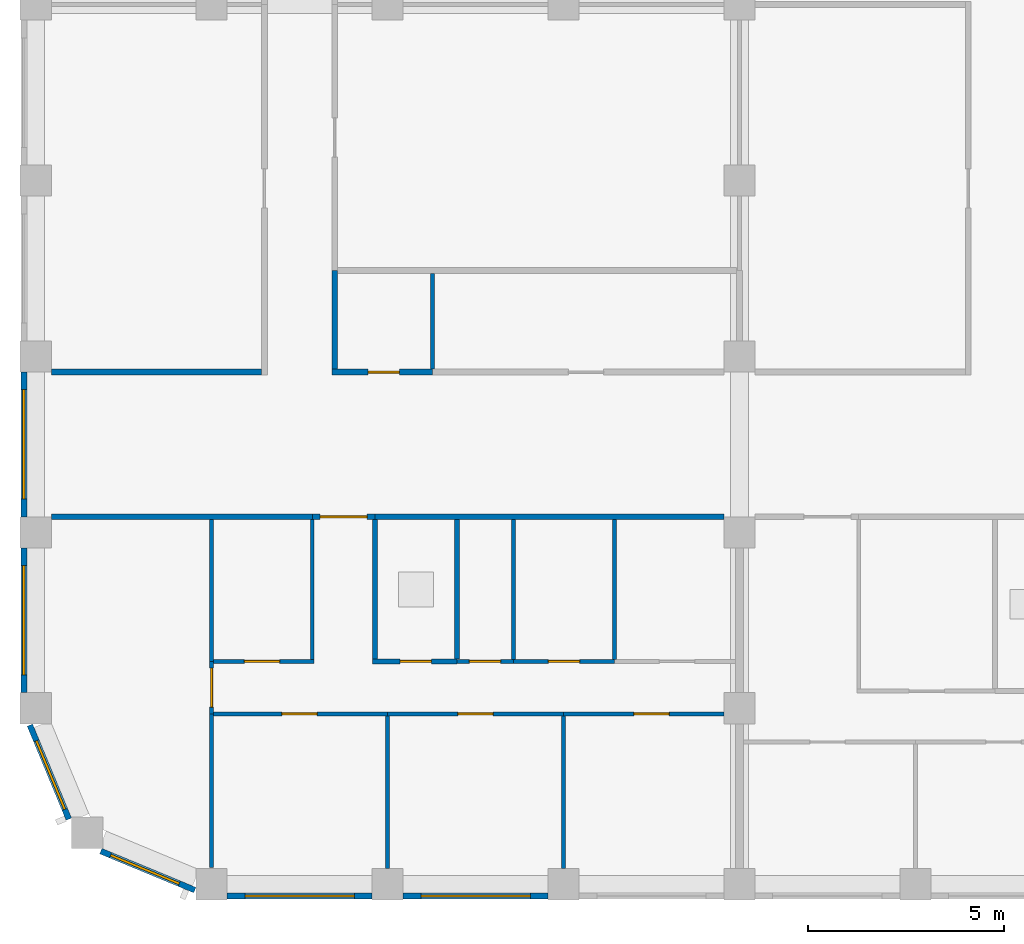
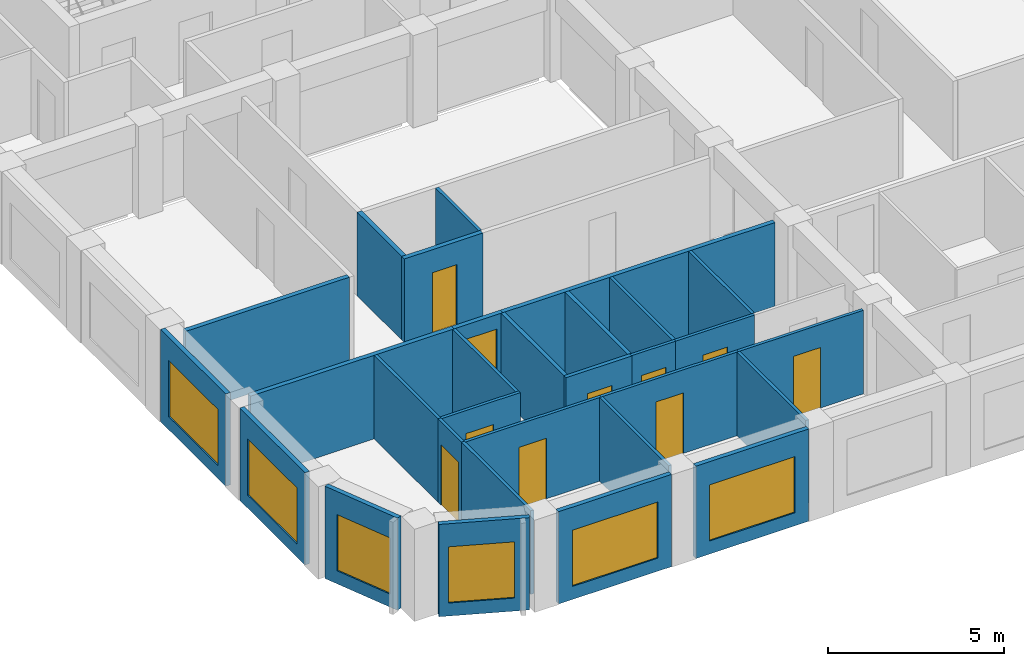
# One storey, part 2 of 10: 30 walls, 10 doors, 6 windows, 16 openings.
"""IFC4 building model written with IfcOpenShell, lengths in metres."""

from ifc_helpers import new_model, si_unit, direction, frame, frame_2d, origin, place, context, subcontext, project, spatial, rectangle, extrude, material, layer, layer_set, type_object, element, fill, save


model = new_model("IFC4")

# Units and contexts
model_context = context("Model", 3, precision=1e-05, world=origin(), true_north=direction((0.0, 1.0)))
body_context = subcontext(model_context, "Body", "Model", "MODEL_VIEW")
ifc_project = project(units=[si_unit("LENGTHUNIT", "METRE"), si_unit("AREAUNIT", "SQUARE_METRE"), si_unit("VOLUMEUNIT", "CUBIC_METRE"), si_unit("PLANEANGLEUNIT", "RADIAN"), si_unit("MASSUNIT", "GRAM", prefix="KILO")], contexts=[model_context])

# Site, building, storey
site_placement = place(None, origin())
site = spatial("IfcSite", under=ifc_project, at=site_placement, CompositionType="ELEMENT")
building_placement = place(site_placement, origin())
building = spatial("IfcBuilding", under=site, at=building_placement, Name="Girih Gate Residences", CompositionType="ELEMENT")
storey_placement = place(building_placement, frame((0.0, 0.0, 195.5)))
storey = spatial("IfcBuildingStorey", under=building, at=storey_placement, Name="L54", CompositionType="ELEMENT", Elevation=195.5)

# Wall
ifc_material_1 = material(Name="Gypsum board on steel studs", Category="steel")
ifc_layer_1 = layer(ifc_material_1, 0.14990234375)
ifc_layer_set_1 = layer_set([ifc_layer_1], Name="Compartment wall 150 mm")
wall_type_1 = type_object("IfcWallType", Name="Compartment wall 150 mm", PredefinedType="PARTITIONING", material=ifc_layer_set_1)
wall_1_placement = place(storey_placement, frame((8.675048828125, 9.39990234375, 0.0), z_axis=(0.0, 0.0, 1.0), x_axis=(1.0, 0.0, 0.0)))
element("IfcWall", 1, at=wall_1_placement, inside=storey, type_object=wall_type_1, Name="L54 partition", PredefinedType="PARTITIONING", context=body_context, shape_type="SweptSolid", body=[
    extrude(rectangle(XDim=8.925048828125, YDim=0.14990234375, at=frame_2d((4.46240234375, 0.0))), origin(), (0.0, 0.0, 1.0), 2.89990234375),
])

# Wall, opening, door
wall_2_placement = place(storey_placement, frame((8.675048828125, 9.39990234375, 0.0), z_axis=(0.0, 0.0, 1.0), x_axis=(-1.0, 0.0, 0.0)))
wall_2 = element("IfcWall", 2, at=wall_2_placement, inside=storey, type_object=wall_type_1, Name="L54 partition", PredefinedType="PARTITIONING", context=body_context, shape_type="SweptSolid", body=[
    extrude(rectangle(XDim=1.60009765625, YDim=0.14990234375, at=frame_2d((0.800048828125, 0.0))), origin(), (0.0, 0.0, 1.0), 2.89990234375),
])
opening_1_placement = place(wall_2_placement, frame((0.199951171875, 0.0, 0.0)))
opening_1 = element("IfcOpeningElement", 3, at=opening_1_placement, cuts=wall_2, Name="Opening A54-010", PredefinedType="OPENING", context=body_context, shape_type="SweptSolid", body=[
    extrude(rectangle(XDim=1.199951171875, YDim=2.39990234375, at=frame_2d((0.60009765625, 1.199951171875))), frame((0.0, 0.0849609375, 0.0), z_axis=(0.0, -1.0, 0.0), x_axis=(1.0, 0.0, 0.0)), (0.0, 0.0, 1.0), 0.169921875),
])
ifc_material_2 = material(Name="Timber, fire-rated core", Category="wood")
door_type_1 = type_object("IfcDoorType", Name="Villa entrance door 1200x2400 FD30S", OperationType="NOTDEFINED", PredefinedType="DOOR", material=ifc_material_2)
door_1_placement = place(opening_1_placement, origin())
door_1 = element("IfcDoor", 4, at=door_1_placement, inside=storey, type_object=door_type_1, Name="Door A54-010", OperationType="SINGLE_SWING_RIGHT", OverallHeight=2.39990234375, OverallWidth=1.199951171875, PredefinedType="DOOR", context=body_context, shape_type="SweptSolid", body=[
    extrude(rectangle(XDim=1.199951171875, YDim=2.39990234375, at=frame_2d((0.60009765625, 1.199951171875))), frame((0.0, 0.02490234375, 0.0), z_axis=(0.0, -1.0, 0.0), x_axis=(1.0, 0.0, 0.0)), (0.0, 0.0, 1.0), 0.050048828125),
])
fill(opening_1, door_1)

# Wall
wall_3_placement = place(storey_placement, frame((0.39990234375, 9.39990234375, 0.0), z_axis=(0.0, 0.0, 1.0), x_axis=(1.0, 0.0, 0.0)))
element("IfcWall", 5, at=wall_3_placement, inside=storey, type_object=wall_type_1, Name="L54 partition", PredefinedType="PARTITIONING", context=body_context, shape_type="SweptSolid", body=[
    extrude(rectangle(XDim=6.675048828125, YDim=0.14990234375, at=frame_2d((3.33740234375, 0.0))), origin(), (0.0, 0.0, 1.0), 2.89990234375),
])

# Wall, opening, door
wall_4_placement = place(storey_placement, frame((7.574951171875, 13.10009765625, 0.0), z_axis=(0.0, 0.0, 1.0), x_axis=(1.0, 0.0, 0.0)))
wall_4 = element("IfcWall", 6, at=wall_4_placement, inside=storey, type_object=wall_type_1, Name="L54 partition", PredefinedType="PARTITIONING", context=body_context, shape_type="SweptSolid", body=[
    extrude(rectangle(XDim=2.574951171875, YDim=0.14990234375, at=frame_2d((1.28759765625, 0.0))), origin(), (0.0, 0.0, 1.0), 2.89990234375),
])
opening_2_placement = place(wall_4_placement, frame((0.925048828125, 0.0, 0.0)))
opening_2 = element("IfcOpeningElement", 7, at=opening_2_placement, cuts=wall_4, Name="Opening A54-034", PredefinedType="OPENING", context=body_context, shape_type="SweptSolid", body=[
    extrude(rectangle(XDim=0.800048828125, YDim=2.10009765625, at=frame_2d((0.39990234375, 1.050048828125))), frame((0.0, 0.0849609375, 0.0), z_axis=(0.0, -1.0, 0.0), x_axis=(1.0, 0.0, 0.0)), (0.0, 0.0, 1.0), 0.169921875),
])
ifc_material_3 = material(Name="Timber", Category="wood")
door_type_2 = type_object("IfcDoorType", Name="Bathroom door 800x2100", OperationType="NOTDEFINED", PredefinedType="DOOR", material=ifc_material_3)
door_2_placement = place(opening_2_placement, origin())
door_2 = element("IfcDoor", 8, at=door_2_placement, inside=storey, type_object=door_type_2, Name="Door A54-034", OperationType="SINGLE_SWING_RIGHT", OverallHeight=2.10009765625, OverallWidth=0.800048828125, PredefinedType="DOOR", context=body_context, shape_type="SweptSolid", body=[
    extrude(rectangle(XDim=0.800048828125, YDim=2.10009765625, at=frame_2d((0.39990234375, 1.050048828125))), frame((0.0, 0.02490234375, 0.0), z_axis=(0.0, -1.0, 0.0), x_axis=(1.0, 0.0, 0.0)), (0.0, 0.0, 1.0), 0.050048828125),
])
fill(opening_2, door_2)

# Walls
wall_5_placement = place(storey_placement, frame((0.39990234375, 13.10009765625, 0.0), z_axis=(0.0, 0.0, 1.0), x_axis=(1.0, 0.0, 0.0)))
element("IfcWall", 9, at=wall_5_placement, inside=storey, type_object=wall_type_1, Name="L54 partition", PredefinedType="PARTITIONING", context=body_context, shape_type="SweptSolid", body=[
    extrude(rectangle(XDim=5.375, YDim=0.14990234375, at=frame_2d((2.6875, 0.0))), origin(), (0.0, 0.0, 1.0), 2.89990234375),
])
wall_6_placement = place(storey_placement, frame((7.64990234375, 13.175048828125, 0.0), z_axis=(0.0, 0.0, 1.0), x_axis=(0.0, 1.0, 0.0)))
element("IfcWall", 10, at=wall_6_placement, inside=storey, type_object=wall_type_1, Name="L54 partition", PredefinedType="PARTITIONING", context=body_context, shape_type="SweptSolid", body=[
    extrude(rectangle(XDim=2.52490234375, YDim=0.14990234375, at=frame_2d((1.262451171875, 0.0))), origin(), (0.0, 0.0, 1.0), 2.89990234375),
])
ifc_layer_2 = layer(ifc_material_1, 0.10009765625)
ifc_layer_set_2 = layer_set([ifc_layer_2], Name="Partition 100 mm")
wall_type_2 = type_object("IfcWallType", Name="Partition 100 mm", PredefinedType="PARTITIONING", material=ifc_layer_set_2)
wall_7_placement = place(storey_placement, frame((9.0, 0.39990234375, 0.0), z_axis=(0.0, 0.0, 1.0), x_axis=(0.0, 1.0, 0.0)))
element("IfcWall", 11, at=wall_7_placement, inside=storey, type_object=wall_type_2, Name="L54 partition", PredefinedType="PARTITIONING", context=body_context, shape_type="SweptSolid", body=[
    extrude(rectangle(XDim=3.91015625, YDim=0.10009765625, at=frame_2d((1.955078125, 0.0))), origin(), (0.0, 0.0, 1.0), 2.89990234375),
])

# Wall, opening, door
wall_8_placement = place(storey_placement, frame((9.0, 4.360107421875, 0.0), z_axis=(0.0, 0.0, 1.0), x_axis=(-1.0, 0.0, 0.0)))
wall_8 = element("IfcWall", 12, at=wall_8_placement, inside=storey, type_object=wall_type_2, Name="L54 partition", PredefinedType="PARTITIONING", context=body_context, shape_type="SweptSolid", body=[
    extrude(rectangle(XDim=4.449951171875, YDim=0.10009765625, at=frame_2d((2.22509765625, 0.0))), origin(), (0.0, 0.0, 1.0), 2.89990234375),
])
opening_3_placement = place(wall_8_placement, frame((1.800048828125, 0.0, 0.0)))
opening_3 = element("IfcOpeningElement", 13, at=opening_3_placement, cuts=wall_8, Name="Opening A54-002", PredefinedType="OPENING", context=body_context, shape_type="SweptSolid", body=[
    extrude(rectangle(XDim=0.89990234375, YDim=2.10009765625, at=frame_2d((0.449951171875, 1.050048828125))), frame((0.0, 0.06005859375, 0.0), z_axis=(0.0, -1.0, 0.0), x_axis=(1.0, 0.0, 0.0)), (0.0, 0.0, 1.0), 0.1201171875),
])
door_type_3 = type_object("IfcDoorType", Name="Bedroom door 900x2100", OperationType="NOTDEFINED", PredefinedType="DOOR", material=ifc_material_3)
door_3_placement = place(opening_3_placement, origin())
door_3 = element("IfcDoor", 14, at=door_3_placement, inside=storey, type_object=door_type_3, Name="Door A54-002", OperationType="SINGLE_SWING_RIGHT", OverallHeight=2.10009765625, OverallWidth=0.89990234375, PredefinedType="DOOR", context=body_context, shape_type="SweptSolid", body=[
    extrude(rectangle(XDim=0.89990234375, YDim=2.10009765625, at=frame_2d((0.449951171875, 1.050048828125))), frame((0.0, 0.02490234375, 0.0), z_axis=(0.0, -1.0, 0.0), x_axis=(1.0, 0.0, 0.0)), (0.0, 0.0, 1.0), 0.050048828125),
])
fill(opening_3, door_3)

# Walls
wall_9_placement = place(storey_placement, frame((4.5, 0.432861328125, 0.0), z_axis=(0.0, 0.0, 1.0), x_axis=(0.0, 1.0, 0.0)))
element("IfcWall", 15, at=wall_9_placement, inside=storey, type_object=wall_type_2, Name="L54 partition", PredefinedType="PARTITIONING", context=body_context, shape_type="SweptSolid", body=[
    extrude(rectangle(XDim=3.92724609375, YDim=0.10009765625, at=frame_2d((1.963623046875, 0.0))), origin(), (0.0, 0.0, 1.0), 2.89990234375),
])
wall_10_placement = place(storey_placement, frame((13.5, 0.39990234375, 0.0), z_axis=(0.0, 0.0, 1.0), x_axis=(0.0, 1.0, 0.0)))
element("IfcWall", 16, at=wall_10_placement, inside=storey, type_object=wall_type_2, Name="L54 partition", PredefinedType="PARTITIONING", context=body_context, shape_type="SweptSolid", body=[
    extrude(rectangle(XDim=3.91015625, YDim=0.10009765625, at=frame_2d((1.955078125, 0.0))), origin(), (0.0, 0.0, 1.0), 2.89990234375),
])

# Wall, opening, door
wall_11_placement = place(storey_placement, frame((13.5, 4.360107421875, 0.0), z_axis=(0.0, 0.0, 1.0), x_axis=(-1.0, 0.0, 0.0)))
wall_11 = element("IfcWall", 17, at=wall_11_placement, inside=storey, type_object=wall_type_2, Name="L54 partition", PredefinedType="PARTITIONING", context=body_context, shape_type="SweptSolid", body=[
    extrude(rectangle(XDim=4.5, YDim=0.10009765625, at=frame_2d((2.25, 0.0))), origin(), (0.0, 0.0, 1.0), 2.89990234375),
])
opening_4_placement = place(wall_11_placement, frame((1.800048828125, 0.0, 0.0)))
opening_4 = element("IfcOpeningElement", 18, at=opening_4_placement, cuts=wall_11, Name="Opening A54-003", PredefinedType="OPENING", context=body_context, shape_type="SweptSolid", body=[
    extrude(rectangle(XDim=0.89990234375, YDim=2.10009765625, at=frame_2d((0.449951171875, 1.050048828125))), frame((0.0, 0.06005859375, 0.0), z_axis=(0.0, -1.0, 0.0), x_axis=(1.0, 0.0, 0.0)), (0.0, 0.0, 1.0), 0.1201171875),
])
door_4_placement = place(opening_4_placement, origin())
door_4 = element("IfcDoor", 19, at=door_4_placement, inside=storey, type_object=door_type_3, Name="Door A54-003", OperationType="SINGLE_SWING_LEFT", OverallHeight=2.10009765625, OverallWidth=0.89990234375, PredefinedType="DOOR", context=body_context, shape_type="SweptSolid", body=[
    extrude(rectangle(XDim=0.89990234375, YDim=2.10009765625, at=frame_2d((0.449951171875, 1.050048828125))), frame((0.0, 0.02490234375, 0.0), z_axis=(0.0, -1.0, 0.0), x_axis=(1.0, 0.0, 0.0)), (0.0, 0.0, 1.0), 0.050048828125),
])
fill(opening_4, door_4)

wall_12_placement = place(storey_placement, frame((17.60009765625, 4.360107421875, 0.0), z_axis=(0.0, 0.0, 1.0), x_axis=(-1.0, 0.0, 0.0)))
wall_12 = element("IfcWall", 20, at=wall_12_placement, inside=storey, type_object=wall_type_2, Name="L54 partition", PredefinedType="PARTITIONING", context=body_context, shape_type="SweptSolid", body=[
    extrude(rectangle(XDim=4.10009765625, YDim=0.10009765625, at=frame_2d((2.050048828125, 0.0))), origin(), (0.0, 0.0, 1.0), 2.89990234375),
])
opening_5_placement = place(wall_12_placement, frame((1.39990234375, 0.0, 0.0)))
opening_5 = element("IfcOpeningElement", 21, at=opening_5_placement, cuts=wall_12, Name="Opening A54-004", PredefinedType="OPENING", context=body_context, shape_type="SweptSolid", body=[
    extrude(rectangle(XDim=0.89990234375, YDim=2.10009765625, at=frame_2d((0.449951171875, 1.050048828125))), frame((0.0, 0.06005859375, 0.0), z_axis=(0.0, -1.0, 0.0), x_axis=(1.0, 0.0, 0.0)), (0.0, 0.0, 1.0), 0.1201171875),
])
door_5_placement = place(opening_5_placement, origin())
door_5 = element("IfcDoor", 22, at=door_5_placement, inside=storey, type_object=door_type_3, Name="Door A54-004", OperationType="SINGLE_SWING_LEFT", OverallHeight=2.10009765625, OverallWidth=0.89990234375, PredefinedType="DOOR", context=body_context, shape_type="SweptSolid", body=[
    extrude(rectangle(XDim=0.89990234375, YDim=2.10009765625, at=frame_2d((0.449951171875, 1.050048828125))), frame((0.0, 0.02490234375, 0.0), z_axis=(0.0, -1.0, 0.0), x_axis=(1.0, 0.0, 0.0)), (0.0, 0.0, 1.0), 0.050048828125),
])
fill(opening_5, door_5)

wall_13_placement = place(storey_placement, frame((12.21630859375, 5.699951171875, 0.0), z_axis=(0.0, 0.0, 1.0), x_axis=(1.0, 0.0, 0.0)))
wall_13 = element("IfcWall", 23, at=wall_13_placement, inside=storey, type_object=wall_type_2, Name="L54 partition", PredefinedType="PARTITIONING", context=body_context, shape_type="SweptSolid", body=[
    extrude(rectangle(XDim=2.59130859375, YDim=0.10009765625, at=frame_2d((1.295654296875, 0.0))), origin(), (0.0, 0.0, 1.0), 2.89990234375),
])
opening_6_placement = place(wall_13_placement, frame((0.8955078125, 0.0, 0.0)))
opening_6 = element("IfcOpeningElement", 24, at=opening_6_placement, cuts=wall_13, Name="Opening A54-005", PredefinedType="OPENING", context=body_context, shape_type="SweptSolid", body=[
    extrude(rectangle(XDim=0.800048828125, YDim=2.10009765625, at=frame_2d((0.39990234375, 1.050048828125))), frame((0.0, 0.06005859375, 0.0), z_axis=(0.0, -1.0, 0.0), x_axis=(1.0, 0.0, 0.0)), (0.0, 0.0, 1.0), 0.1201171875),
])
door_type_4 = type_object("IfcDoorType", Name="Store door 800x2100", OperationType="NOTDEFINED", PredefinedType="DOOR", material=ifc_material_3)
door_6_placement = place(opening_6_placement, origin())
door_6 = element("IfcDoor", 25, at=door_6_placement, inside=storey, type_object=door_type_4, Name="Door A54-005", OperationType="SINGLE_SWING_LEFT", OverallHeight=2.10009765625, OverallWidth=0.800048828125, PredefinedType="DOOR", context=body_context, shape_type="SweptSolid", body=[
    extrude(rectangle(XDim=0.800048828125, YDim=2.10009765625, at=frame_2d((0.39990234375, 1.050048828125))), frame((0.0, 0.02490234375, 0.0), z_axis=(0.0, -1.0, 0.0), x_axis=(1.0, 0.0, 0.0)), (0.0, 0.0, 1.0), 0.050048828125),
])
fill(opening_6, door_6)

# Walls
for number, where, z_axis, x_axis, name in (
    (26, (12.216064453125, 5.75, 0.0), (0.0, 0.0, 1.0), (0.0, 1.0, 0.0), "L54 partition"),
    (27, (14.80810546875, 5.75, 0.0), (0.0, 0.0, 1.0), (0.0, 1.0, 0.0), "L54 partition"),
):
    element("IfcWall", number, at=place(storey_placement, frame(where, z_axis=z_axis, x_axis=x_axis)), inside=storey, type_object=wall_type_2, Name=name, PredefinedType="PARTITIONING", context=body_context, shape_type="SweptSolid", body=[
        extrude(rectangle(XDim=3.574951171875, YDim=0.10009765625, at=frame_2d((1.78759765625, 0.0))), origin(), (0.0, 0.0, 1.0), 2.89990234375),
    ])

# Wall, opening, door
wall_14_placement = place(storey_placement, frame((4.550048828125, 5.699951171875, 0.0), z_axis=(0.0, 0.0, 1.0), x_axis=(1.0, 0.0, 0.0)))
wall_14 = element("IfcWall", 28, at=wall_14_placement, inside=storey, type_object=wall_type_2, Name="L54 partition", PredefinedType="PARTITIONING", context=body_context, shape_type="SweptSolid", body=[
    extrude(rectangle(XDim=2.574951171875, YDim=0.10009765625, at=frame_2d((1.28759765625, 0.0))), origin(), (0.0, 0.0, 1.0), 2.89990234375),
])
opening_7_placement = place(wall_14_placement, frame((0.78759765625, 0.0, 0.0)))
opening_7 = element("IfcOpeningElement", 29, at=opening_7_placement, cuts=wall_14, Name="Opening A54-006", PredefinedType="OPENING", context=body_context, shape_type="SweptSolid", body=[
    extrude(rectangle(XDim=0.89990234375, YDim=2.10009765625, at=frame_2d((0.449951171875, 1.050048828125))), frame((0.0, 0.06005859375, 0.0), z_axis=(0.0, -1.0, 0.0), x_axis=(1.0, 0.0, 0.0)), (0.0, 0.0, 1.0), 0.1201171875),
])
door_type_5 = type_object("IfcDoorType", Name="Kitchen door 900x2100", OperationType="NOTDEFINED", PredefinedType="DOOR", material=ifc_material_3)
door_7_placement = place(opening_7_placement, origin())
door_7 = element("IfcDoor", 30, at=door_7_placement, inside=storey, type_object=door_type_5, Name="Door A54-006", OperationType="SINGLE_SWING_LEFT", OverallHeight=2.10009765625, OverallWidth=0.89990234375, PredefinedType="DOOR", context=body_context, shape_type="SweptSolid", body=[
    extrude(rectangle(XDim=0.89990234375, YDim=2.10009765625, at=frame_2d((0.449951171875, 1.050048828125))), frame((0.0, 0.02490234375, 0.0), z_axis=(0.0, -1.0, 0.0), x_axis=(1.0, 0.0, 0.0)), (0.0, 0.0, 1.0), 0.050048828125),
])
fill(opening_7, door_7)

# Wall
wall_15_placement = place(storey_placement, frame((7.074951171875, 5.75, 0.0), z_axis=(0.0, 0.0, 1.0), x_axis=(0.0, 1.0, 0.0)))
element("IfcWall", 31, at=wall_15_placement, inside=storey, type_object=wall_type_2, Name="L54 partition", PredefinedType="PARTITIONING", context=body_context, shape_type="SweptSolid", body=[
    extrude(rectangle(XDim=3.574951171875, YDim=0.10009765625, at=frame_2d((1.78759765625, 0.0))), origin(), (0.0, 0.0, 1.0), 2.89990234375),
])

# Wall, opening, door
wall_16_placement = place(storey_placement, frame((4.5, 4.360107421875, 0.0), z_axis=(0.0, 0.0, 1.0), x_axis=(0.0, 1.0, 0.0)))
wall_16 = element("IfcWall", 32, at=wall_16_placement, inside=storey, type_object=wall_type_2, Name="L54 partition", PredefinedType="PARTITIONING", context=body_context, shape_type="SweptSolid", body=[
    extrude(rectangle(XDim=1.33984375, YDim=0.10009765625, at=frame_2d((0.669921875, 0.0))), origin(), (0.0, 0.0, 1.0), 2.89990234375),
])
opening_8_placement = place(wall_16_placement, frame((0.169921875, 0.0, 0.0)))
opening_8 = element("IfcOpeningElement", 33, at=opening_8_placement, cuts=wall_16, Name="Opening A54-007", PredefinedType="OPENING", context=body_context, shape_type="SweptSolid", body=[
    extrude(rectangle(XDim=1.0, YDim=2.10009765625, at=frame_2d((0.5, 1.050048828125))), frame((0.0, 0.06005859375, 0.0), z_axis=(0.0, -1.0, 0.0), x_axis=(1.0, 0.0, 0.0)), (0.0, 0.0, 1.0), 0.1201171875),
])
door_type_6 = type_object("IfcDoorType", Name="Living room door 1000x2100", OperationType="NOTDEFINED", PredefinedType="DOOR", material=ifc_material_3)
door_8_placement = place(opening_8_placement, origin())
door_8 = element("IfcDoor", 34, at=door_8_placement, inside=storey, type_object=door_type_6, Name="Door A54-007", OperationType="SINGLE_SWING_RIGHT", OverallHeight=2.10009765625, OverallWidth=1.0, PredefinedType="DOOR", context=body_context, shape_type="SweptSolid", body=[
    extrude(rectangle(XDim=1.0, YDim=2.10009765625, at=frame_2d((0.5, 1.050048828125))), frame((0.0, 0.02490234375, 0.0), z_axis=(0.0, -1.0, 0.0), x_axis=(1.0, 0.0, 0.0)), (0.0, 0.0, 1.0), 0.050048828125),
])
fill(opening_8, door_8)

wall_17_placement = place(storey_placement, frame((10.771728515625, 5.699951171875, 0.0), z_axis=(0.0, 0.0, 1.0), x_axis=(1.0, 0.0, 0.0)))
wall_17 = element("IfcWall", 35, at=wall_17_placement, inside=storey, type_object=wall_type_2, Name="L54 partition", PredefinedType="PARTITIONING", context=body_context, shape_type="SweptSolid", body=[
    extrude(rectangle(XDim=1.444580078125, YDim=0.10009765625, at=frame_2d((0.72216796875, 0.0))), origin(), (0.0, 0.0, 1.0), 2.89990234375),
])
opening_9_placement = place(wall_17_placement, frame((0.322265625, 0.0, 0.0)))
opening_9 = element("IfcOpeningElement", 36, at=opening_9_placement, cuts=wall_17, Name="Opening A54-008", PredefinedType="OPENING", context=body_context, shape_type="SweptSolid", body=[
    extrude(rectangle(XDim=0.800048828125, YDim=2.10009765625, at=frame_2d((0.39990234375, 1.050048828125))), frame((0.0, 0.06005859375, 0.0), z_axis=(0.0, -1.0, 0.0), x_axis=(1.0, 0.0, 0.0)), (0.0, 0.0, 1.0), 0.1201171875),
])
door_9_placement = place(opening_9_placement, origin())
door_9 = element("IfcDoor", 37, at=door_9_placement, inside=storey, type_object=door_type_4, Name="Door A54-008", OperationType="SINGLE_SWING_RIGHT", OverallHeight=2.10009765625, OverallWidth=0.800048828125, PredefinedType="DOOR", context=body_context, shape_type="SweptSolid", body=[
    extrude(rectangle(XDim=0.800048828125, YDim=2.10009765625, at=frame_2d((0.39990234375, 1.050048828125))), frame((0.0, 0.02490234375, 0.0), z_axis=(0.0, -1.0, 0.0), x_axis=(1.0, 0.0, 0.0)), (0.0, 0.0, 1.0), 0.050048828125),
])
fill(opening_9, door_9)

# Walls
wall_18_placement = place(storey_placement, frame((4.5, 5.699951171875, 0.0), z_axis=(0.0, 0.0, 1.0), x_axis=(0.0, 1.0, 0.0)))
element("IfcWall", 38, at=wall_18_placement, inside=storey, type_object=wall_type_2, Name="L54 partition", PredefinedType="PARTITIONING", context=body_context, shape_type="SweptSolid", body=[
    extrude(rectangle(XDim=3.625, YDim=0.10009765625, at=frame_2d((1.8125, 0.0))), origin(), (0.0, 0.0, 1.0), 2.89990234375),
])
wall_19_placement = place(storey_placement, frame((10.14990234375, 13.175048828125, 0.0), z_axis=(0.0, 0.0, 1.0), x_axis=(0.0, 1.0, 0.0)))
element("IfcWall", 39, at=wall_19_placement, inside=storey, type_object=wall_type_2, Name="L54 partition", PredefinedType="PARTITIONING", context=body_context, shape_type="SweptSolid", body=[
    extrude(rectangle(XDim=2.449951171875, YDim=0.10009765625, at=frame_2d((1.22509765625, 0.0))), origin(), (0.0, 0.0, 1.0), 2.89990234375),
])

# Wall, opening, window
ifc_material_4 = material(Name="Precast concrete C50/60", Category="concrete")
ifc_layer_3 = layer(ifc_material_4, 0.050048828125, Name="Outer leaf")
ifc_material_5 = material(Name="Rigid PIR insulation")
ifc_layer_4 = layer(ifc_material_5, 0.06005859375, Name="Insulation")
ifc_material_6 = material(Name="Precast concrete C40/50", Category="concrete")
ifc_layer_5 = layer(ifc_material_6, 0.0400390625, Name="Inner leaf")
ifc_layer_set_3 = layer_set([ifc_layer_3, ifc_layer_4, ifc_layer_5], Name="Precast concrete C50/60 external wall 150")
wall_type_3 = type_object("IfcWallType", Name="Precast concrete C50/60 external wall 150", PredefinedType="SOLIDWALL", material=ifc_layer_set_3)
wall_20_placement = place(storey_placement, frame((-0.300048828125, 9.39990234375, 0.0), z_axis=(0.0, 0.0, 1.0), x_axis=(0.0, 1.0, 0.0)))
wall_20 = element("IfcWall", 40, at=wall_20_placement, inside=storey, type_object=wall_type_3, Name="External wall W0000_0450.7", PredefinedType="SOLIDWALL", context=body_context, shape_type="SweptSolid", body=[
    extrude(rectangle(XDim=3.7001953125, YDim=0.14990234375, at=frame_2d((1.85009765625, 0.0))), origin(), (0.0, 0.0, 1.0), 3.199951171875),
])
opening_10_placement = place(wall_20_placement, frame((0.449951171875, 0.0, 0.449951171875)))
opening_10 = element("IfcOpeningElement", 41, at=opening_10_placement, cuts=wall_20, Name="Opening W-1B", PredefinedType="OPENING", context=body_context, shape_type="SweptSolid", body=[
    extrude(rectangle(XDim=2.800048828125, YDim=1.949951171875, at=frame_2d((1.39990234375, 0.97509765625))), frame((0.0, 0.0849609375, 0.0), z_axis=(0.0, -1.0, 0.0), x_axis=(1.0, 0.0, 0.0)), (0.0, 0.0, 1.0), 0.169921875),
])
ifc_material_7 = material(Name="Double glazing in aluminium frame", Category="aluminium")
window_type_1 = type_object("IfcWindowType", Name="Window W-1B 2800x1950", PartitioningType="SINGLE_PANEL", PredefinedType="WINDOW", material=ifc_material_7)
window_1_placement = place(opening_10_placement, origin())
window_1 = element("IfcWindow", 42, at=window_1_placement, inside=storey, type_object=window_type_1, Name="Window W-1B W0000_0450.7", OverallHeight=1.949951171875, OverallWidth=2.800048828125, PartitioningType="SINGLE_PANEL", PredefinedType="WINDOW", context=body_context, shape_type="SweptSolid", body=[
    extrude(rectangle(XDim=2.800048828125, YDim=1.949951171875, at=frame_2d((1.39990234375, 0.97509765625))), frame((0.0, 0.030029296875, 0.0), z_axis=(0.0, -1.0, 0.0), x_axis=(1.0, 0.0, 0.0)), (0.0, 0.0, 1.0), 0.06005859375),
])
fill(opening_10, window_1)

wall_21_placement = place(storey_placement, frame((-0.300048828125, 4.89990234375, 0.0), z_axis=(0.0, 0.0, 1.0), x_axis=(0.0, 1.0, 0.0)))
wall_21 = element("IfcWall", 43, at=wall_21_placement, inside=storey, type_object=wall_type_3, Name="External wall W0000_0450.8", PredefinedType="SOLIDWALL", context=body_context, shape_type="SweptSolid", body=[
    extrude(rectangle(XDim=3.7001953125, YDim=0.14990234375, at=frame_2d((1.85009765625, 0.0))), origin(), (0.0, 0.0, 1.0), 3.199951171875),
])
opening_11_placement = place(wall_21_placement, frame((0.449951171875, 0.0, 0.449951171875)))
opening_11 = element("IfcOpeningElement", 44, at=opening_11_placement, cuts=wall_21, Name="Opening W-1B", PredefinedType="OPENING", context=body_context, shape_type="SweptSolid", body=[
    extrude(rectangle(XDim=2.800048828125, YDim=1.949951171875, at=frame_2d((1.39990234375, 0.97509765625))), frame((0.0, 0.0849609375, 0.0), z_axis=(0.0, -1.0, 0.0), x_axis=(1.0, 0.0, 0.0)), (0.0, 0.0, 1.0), 0.169921875),
])
window_2_placement = place(opening_11_placement, origin())
window_2 = element("IfcWindow", 45, at=window_2_placement, inside=storey, type_object=window_type_1, Name="Window W-1B W0000_0450.8", OverallHeight=1.949951171875, OverallWidth=2.800048828125, PartitioningType="SINGLE_PANEL", PredefinedType="WINDOW", context=body_context, shape_type="SweptSolid", body=[
    extrude(rectangle(XDim=2.800048828125, YDim=1.949951171875, at=frame_2d((1.39990234375, 0.97509765625))), frame((0.0, 0.030029296875, 0.0), z_axis=(0.0, -1.0, 0.0), x_axis=(1.0, 0.0, 0.0)), (0.0, 0.0, 1.0), 0.06005859375),
])
fill(opening_11, window_2)

wall_22_placement = place(storey_placement, frame((0.8486328125, 1.6669921875, 0.0), z_axis=(0.0, 0.0, 1.0), x_axis=(-0.382669406082, 0.923885342263, 0.0)))
wall_22 = element("IfcWall", 46, at=wall_22_placement, inside=storey, type_object=wall_type_3, Name="External wall SW0000_0045.0", PredefinedType="SOLIDWALL", context=body_context, shape_type="SweptSolid", body=[
    extrude(rectangle(XDim=2.602294921875, YDim=0.14990234375, at=frame_2d((1.30126953125, 0.0))), origin(), (0.0, 0.0, 1.0), 3.199951171875),
])
opening_12_placement = place(wall_22_placement, frame((0.27001953125, 0.0, 0.449951171875)))
opening_12 = element("IfcOpeningElement", 47, at=opening_12_placement, cuts=wall_22, Name="Opening W-2G", PredefinedType="OPENING", context=body_context, shape_type="SweptSolid", body=[
    extrude(rectangle(XDim=1.89990234375, YDim=1.949951171875, at=frame_2d((0.949951171875, 0.97509765625))), frame((0.0, 0.0849609375, 0.0), z_axis=(0.0, -1.0, 0.0), x_axis=(1.0, 0.0, 0.0)), (0.0, 0.0, 1.0), 0.169921875),
])
window_type_2 = type_object("IfcWindowType", Name="Window W-2G 1900x1950", PartitioningType="SINGLE_PANEL", PredefinedType="WINDOW", material=ifc_material_7)
window_3_placement = place(opening_12_placement, origin())
window_3 = element("IfcWindow", 48, at=window_3_placement, inside=storey, type_object=window_type_2, Name="Window W-2G SW0000_0045.0", OverallHeight=1.949951171875, OverallWidth=1.89990234375, PartitioningType="SINGLE_PANEL", PredefinedType="WINDOW", context=body_context, shape_type="SweptSolid", body=[
    extrude(rectangle(XDim=1.89990234375, YDim=1.949951171875, at=frame_2d((0.949951171875, 0.97509765625))), frame((0.0, 0.030029296875, 0.0), z_axis=(0.0, -1.0, 0.0), x_axis=(1.0, 0.0, 0.0)), (0.0, 0.0, 1.0), 0.06005859375),
])
fill(opening_12, window_3)

wall_23_placement = place(storey_placement, frame((4.0712890625, -0.147216796875, 0.0), z_axis=(0.0, 0.0, 1.0), x_axis=(-0.923885342263, 0.382669406082, 0.0)))
wall_23 = element("IfcWall", 49, at=wall_23_placement, inside=storey, type_object=wall_type_3, Name="External wall SW0013_0013.0", PredefinedType="SOLIDWALL", context=body_context, shape_type="SweptSolid", body=[
    extrude(rectangle(XDim=2.602294921875, YDim=0.14990234375, at=frame_2d((1.30126953125, 0.0))), origin(), (0.0, 0.0, 1.0), 3.199951171875),
])
opening_13_placement = place(wall_23_placement, frame((0.432373046875, 0.0, 0.449951171875)))
opening_13 = element("IfcOpeningElement", 50, at=opening_13_placement, cuts=wall_23, Name="Opening W-2G", PredefinedType="OPENING", context=body_context, shape_type="SweptSolid", body=[
    extrude(rectangle(XDim=1.89990234375, YDim=1.949951171875, at=frame_2d((0.949951171875, 0.97509765625))), frame((0.0, 0.0849609375, 0.0), z_axis=(0.0, -1.0, 0.0), x_axis=(1.0, 0.0, 0.0)), (0.0, 0.0, 1.0), 0.169921875),
])
window_4_placement = place(opening_13_placement, origin())
window_4 = element("IfcWindow", 51, at=window_4_placement, inside=storey, type_object=window_type_2, Name="Window W-2G SW0013_0013.0", OverallHeight=1.949951171875, OverallWidth=1.89990234375, PartitioningType="SINGLE_PANEL", PredefinedType="WINDOW", context=body_context, shape_type="SweptSolid", body=[
    extrude(rectangle(XDim=1.89990234375, YDim=1.949951171875, at=frame_2d((0.949951171875, 0.97509765625))), frame((0.0, 0.030029296875, 0.0), z_axis=(0.0, -1.0, 0.0), x_axis=(1.0, 0.0, 0.0)), (0.0, 0.0, 1.0), 0.06005859375),
])
fill(opening_13, window_4)

wall_24_placement = place(storey_placement, frame((8.60009765625, -0.300048828125, 0.0), z_axis=(0.0, 0.0, 1.0), x_axis=(-1.0, 0.0, 0.0)))
wall_24 = element("IfcWall", 52, at=wall_24_placement, inside=storey, type_object=wall_type_3, Name="External wall S0045_0000.0", PredefinedType="SOLIDWALL", context=body_context, shape_type="SweptSolid", body=[
    extrude(rectangle(XDim=3.7001953125, YDim=0.14990234375, at=frame_2d((1.85009765625, 0.0))), origin(), (0.0, 0.0, 1.0), 3.199951171875),
])
opening_14_placement = place(wall_24_placement, frame((0.449951171875, 0.0, 0.449951171875)))
opening_14 = element("IfcOpeningElement", 53, at=opening_14_placement, cuts=wall_24, Name="Opening W-1B", PredefinedType="OPENING", context=body_context, shape_type="SweptSolid", body=[
    extrude(rectangle(XDim=2.800048828125, YDim=1.949951171875, at=frame_2d((1.39990234375, 0.97509765625))), frame((0.0, 0.0849609375, 0.0), z_axis=(0.0, -1.0, 0.0), x_axis=(1.0, 0.0, 0.0)), (0.0, 0.0, 1.0), 0.169921875),
])
window_5_placement = place(opening_14_placement, origin())
window_5 = element("IfcWindow", 54, at=window_5_placement, inside=storey, type_object=window_type_1, Name="Window W-1B S0045_0000.0", OverallHeight=1.949951171875, OverallWidth=2.800048828125, PartitioningType="SINGLE_PANEL", PredefinedType="WINDOW", context=body_context, shape_type="SweptSolid", body=[
    extrude(rectangle(XDim=2.800048828125, YDim=1.949951171875, at=frame_2d((1.39990234375, 0.97509765625))), frame((0.0, 0.030029296875, 0.0), z_axis=(0.0, -1.0, 0.0), x_axis=(1.0, 0.0, 0.0)), (0.0, 0.0, 1.0), 0.06005859375),
])
fill(opening_14, window_5)

wall_25_placement = place(storey_placement, frame((13.10009765625, -0.300048828125, 0.0), z_axis=(0.0, 0.0, 1.0), x_axis=(-1.0, 0.0, 0.0)))
wall_25 = element("IfcWall", 55, at=wall_25_placement, inside=storey, type_object=wall_type_3, Name="External wall S0045_0000.1", PredefinedType="SOLIDWALL", context=body_context, shape_type="SweptSolid", body=[
    extrude(rectangle(XDim=3.7001953125, YDim=0.14990234375, at=frame_2d((1.85009765625, 0.0))), origin(), (0.0, 0.0, 1.0), 3.199951171875),
])
opening_15_placement = place(wall_25_placement, frame((0.449951171875, 0.0, 0.449951171875)))
opening_15 = element("IfcOpeningElement", 56, at=opening_15_placement, cuts=wall_25, Name="Opening W-1B", PredefinedType="OPENING", context=body_context, shape_type="SweptSolid", body=[
    extrude(rectangle(XDim=2.800048828125, YDim=1.949951171875, at=frame_2d((1.39990234375, 0.97509765625))), frame((0.0, 0.0849609375, 0.0), z_axis=(0.0, -1.0, 0.0), x_axis=(1.0, 0.0, 0.0)), (0.0, 0.0, 1.0), 0.169921875),
])
window_6_placement = place(opening_15_placement, origin())
window_6 = element("IfcWindow", 57, at=window_6_placement, inside=storey, type_object=window_type_1, Name="Window W-1B S0045_0000.1", OverallHeight=1.949951171875, OverallWidth=2.800048828125, PartitioningType="SINGLE_PANEL", PredefinedType="WINDOW", context=body_context, shape_type="SweptSolid", body=[
    extrude(rectangle(XDim=2.800048828125, YDim=1.949951171875, at=frame_2d((1.39990234375, 0.97509765625))), frame((0.0, 0.030029296875, 0.0), z_axis=(0.0, -1.0, 0.0), x_axis=(1.0, 0.0, 0.0)), (0.0, 0.0, 1.0), 0.06005859375),
])
fill(opening_15, window_6)

# Wall, opening, door
ifc_layer_6 = layer(ifc_material_1, 0.125)
ifc_layer_set_4 = layer_set([ifc_layer_6], Name="Wet room wall 125 mm")
wall_type_4 = type_object("IfcWallType", Name="Wet room wall 125 mm", PredefinedType="PARTITIONING", material=ifc_layer_set_4)
wall_26_placement = place(storey_placement, frame((8.612548828125, 5.699951171875, 0.0), z_axis=(0.0, 0.0, 1.0), x_axis=(1.0, 0.0, 0.0)))
wall_26 = element("IfcWall", 58, at=wall_26_placement, inside=storey, type_object=wall_type_4, Name="L54 partition", PredefinedType="PARTITIONING", context=body_context, shape_type="SweptSolid", body=[
    extrude(rectangle(XDim=2.1591796875, YDim=0.125, at=frame_2d((1.07958984375, 0.0))), origin(), (0.0, 0.0, 1.0), 2.89990234375),
])
opening_16_placement = place(wall_26_placement, frame((0.7109375, 0.0, 0.0)))
opening_16 = element("IfcOpeningElement", 59, at=opening_16_placement, cuts=wall_26, Name="Opening A54-001", PredefinedType="OPENING", context=body_context, shape_type="SweptSolid", body=[
    extrude(rectangle(XDim=0.800048828125, YDim=2.10009765625, at=frame_2d((0.39990234375, 1.050048828125))), frame((0.0, 0.072509765625, 0.0), z_axis=(0.0, -1.0, 0.0), x_axis=(1.0, 0.0, 0.0)), (0.0, 0.0, 1.0), 0.14501953125),
])
door_10_placement = place(opening_16_placement, origin())
door_10 = element("IfcDoor", 60, at=door_10_placement, inside=storey, type_object=door_type_2, Name="Door A54-001", OperationType="SINGLE_SWING_RIGHT", OverallHeight=2.10009765625, OverallWidth=0.800048828125, PredefinedType="DOOR", context=body_context, shape_type="SweptSolid", body=[
    extrude(rectangle(XDim=0.800048828125, YDim=2.10009765625, at=frame_2d((0.39990234375, 1.050048828125))), frame((0.0, 0.02490234375, 0.0), z_axis=(0.0, -1.0, 0.0), x_axis=(1.0, 0.0, 0.0)), (0.0, 0.0, 1.0), 0.050048828125),
])
fill(opening_16, door_10)

# Walls
for number, where, z_axis, x_axis, name in (
    (61, (8.675048828125, 5.762451171875, 0.0), (0.0, 0.0, 1.0), (0.0, 1.0, 0.0), "L54 partition"),
    (62, (10.77197265625, 5.762451171875, 0.0), (0.0, 0.0, 1.0), (0.0, 1.0, 0.0), "L54 partition"),
):
    element("IfcWall", number, at=place(storey_placement, frame(where, z_axis=z_axis, x_axis=x_axis)), inside=storey, type_object=wall_type_4, Name=name, PredefinedType="PARTITIONING", context=body_context, shape_type="SweptSolid", body=[
        extrude(rectangle(XDim=3.5625, YDim=0.125, at=frame_2d((1.78125, 0.0))), origin(), (0.0, 0.0, 1.0), 2.89990234375),
    ])

save(model, "model.ifc")
